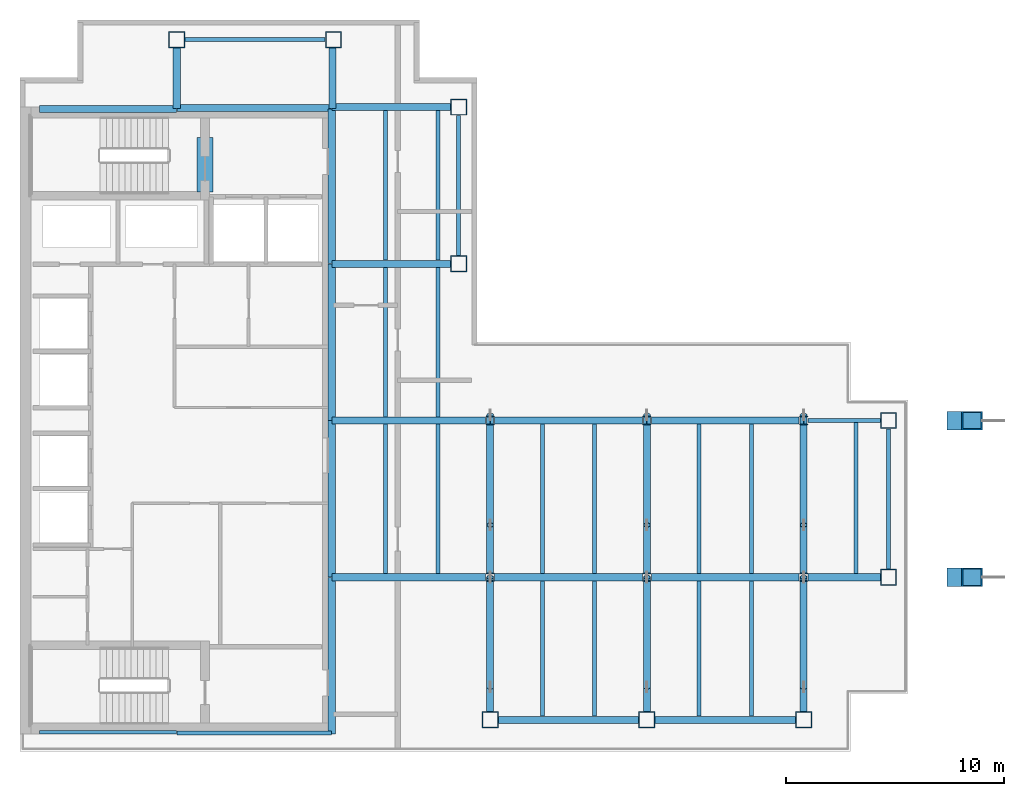
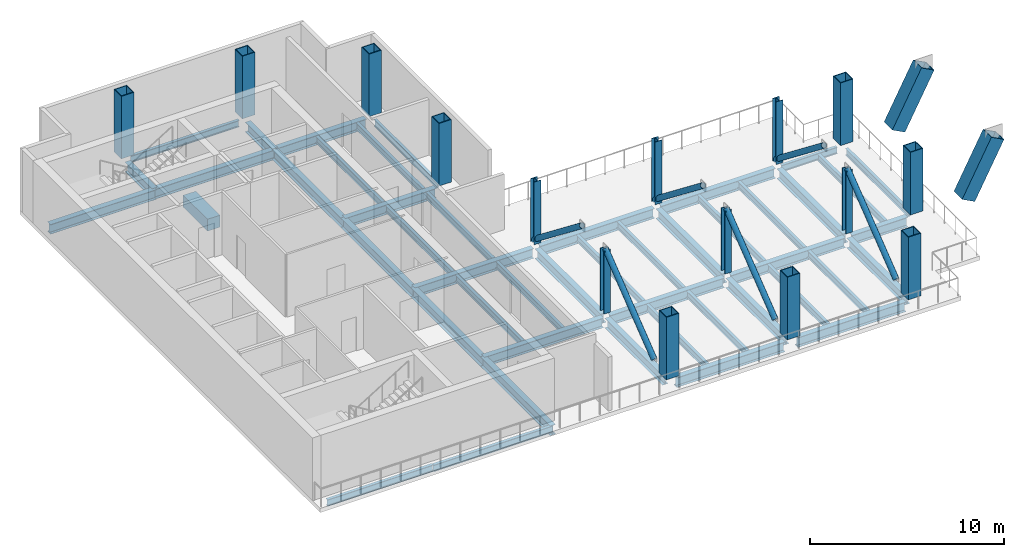
# One storey, part 1 of 5: 47 beams, 17 columns, 6 members.
"""IFC4 building model written with IfcOpenShell, lengths in metres."""

from ifc_helpers import new_model, si_unit, direction, frame, origin, origin_2d, place, context, subcontext, project, spatial, rectangle, hollow_rectangle, hollow_circle, i_section, extrude, material, material_profile, profile_set, type_object, element, save


model = new_model("IFC4")

# Units and contexts
model_context = context("Model", 3, precision=1e-05, world=origin(), true_north=direction((0.0, 1.0)))
body_context = subcontext(model_context, "Body", "Model", "MODEL_VIEW")
ifc_project = project(units=[si_unit("LENGTHUNIT", "METRE"), si_unit("AREAUNIT", "SQUARE_METRE"), si_unit("VOLUMEUNIT", "CUBIC_METRE"), si_unit("PLANEANGLEUNIT", "RADIAN"), si_unit("MASSUNIT", "GRAM", prefix="KILO")], contexts=[model_context])

# Site, building, storey
site_placement = place(None, origin())
site = spatial("IfcSite", under=ifc_project, at=site_placement, CompositionType="ELEMENT")
building_placement = place(site_placement, origin())
building = spatial("IfcBuilding", under=site, at=building_placement, Name="Cobrela Telecom Tower", CompositionType="ELEMENT")
storey_placement = place(building_placement, frame((0.0, 0.0, 236.949951171875)))
storey = spatial("IfcBuildingStorey", under=building, at=storey_placement, Name="L61", CompositionType="ELEMENT", Elevation=236.949951171875)

# Columns
ifc_material_1 = material(Name="Steel ASTM A572 Grade 50", Category="steel")
ifc_material_profile_1 = material_profile(ifc_material_1, hollow_rectangle(XDim=0.85009765625, YDim=0.85009765625, WallThickness=0.054931640625, at=origin_2d()), Name="BOX 850x850x55")
ifc_profile_set_1 = profile_set([ifc_material_profile_1], Name="Steel ASTM A572 Grade 50")
column_type_1 = type_object("IfcColumnType", Name="COL-CANT-STRUT", PredefinedType="COLUMN", material=ifc_profile_set_1)
for number, where, z_axis, x_axis, name in (
    (1, (42.96044921875, 14.39990234375, -0.2548828125), (0.466299292623, 0.0, 0.884627022931), (0.0, 1.0, 0.0), "L61 Block-4 Cantilever Raked Red Steel Strut 1"),
    (2, (42.96044921875, 21.60009765625, -0.2548828125), (0.466299292623, 0.0, 0.884627022931), (0.0, 1.0, 0.0), "L61 Block-4 Cantilever Raked Red Steel Strut 2"),
):
    element("IfcColumn", number, at=place(storey_placement, frame(where, z_axis=z_axis, x_axis=x_axis)), inside=storey, type_object=column_type_1, Name=name, PredefinedType="COLUMN", context=body_context, shape_type="SweptSolid", body=[
        extrude(hollow_rectangle(XDim=0.85009765625, YDim=0.85009765625, WallThickness=0.054931640625, at=origin_2d()), origin(), (0.0, 0.0, 1.0), 3.73046875),
    ])
ifc_material_2 = material(Name="Steel ASTM A992 Grade 50", Category="steel")
ifc_material_profile_2 = material_profile(ifc_material_2, i_section(OverallWidth=0.39892578125, OverallDepth=0.39404296875, WebThickness=0.022705078125, FlangeThickness=0.03662109375, FilletRadius=0.01806640625, at=origin_2d()), Name="W14X193")
ifc_profile_set_2 = profile_set([ifc_material_profile_2], Name="Steel ASTM A992 Grade 50")
column_type_2 = type_object("IfcColumnType", Name="COL-INT-06", PredefinedType="COLUMN", material=ifc_profile_set_2)
for number, where, z_axis, x_axis, name in (
    (3, (21.60009765625, 14.39990234375, 0.0), (0.0, 0.0, 1.0), (1.0, 0.0, 0.0), "L61 Interior Column 06"),
    (4, (21.60009765625, 21.60009765625, 0.0), (0.0, 0.0, 1.0), (1.0, 0.0, 0.0), "L61 Interior Column 07"),
    (5, (28.800048828125, 14.39990234375, 0.0), (0.0, 0.0, 1.0), (1.0, 0.0, 0.0), "L61 Interior Column 09"),
    (6, (28.800048828125, 21.60009765625, 0.0), (0.0, 0.0, 1.0), (1.0, 0.0, 0.0), "L61 Interior Column 10"),
    (7, (36.0, 14.39990234375, 0.0), (0.0, 0.0, 1.0), (1.0, 0.0, 0.0), "L61 Interior Column 12"),
    (8, (36.0, 21.60009765625, 0.0), (0.0, 0.0, 1.0), (1.0, 0.0, 0.0), "L61 Interior Column 13"),
):
    element("IfcColumn", number, at=place(storey_placement, frame(where, z_axis=z_axis, x_axis=x_axis)), inside=storey, type_object=column_type_2, Name=name, PredefinedType="COLUMN", context=body_context, shape_type="SweptSolid", body=[
        extrude(i_section(OverallWidth=0.39892578125, OverallDepth=0.39404296875, WebThickness=0.022705078125, FlangeThickness=0.03662109375, FilletRadius=0.01806640625, at=origin_2d()), origin(), (0.0, 0.0, 1.0), 3.93994140625),
    ])
ifc_material_profile_3 = material_profile(ifc_material_1, hollow_rectangle(XDim=0.75, YDim=0.75, WallThickness=0.044921875, at=origin_2d()), Name="BOX 750x750x45")
ifc_profile_set_3 = profile_set([ifc_material_profile_3], Name="Steel ASTM A572 Grade 50")
column_type_3 = type_object("IfcColumnType", Name="COL-MEGA-08", PredefinedType="COLUMN", material=ifc_profile_set_3)
for number, where, z_axis, x_axis, name in (
    (9, (7.199951171875, 39.10009765625, 0.0), (0.0, 0.0, 1.0), (1.0, 0.0, 0.0), "L61 Perimeter Mega-Column 01"),
    (10, (14.39990234375, 39.10009765625, 0.0), (0.0, 0.0, 1.0), (1.0, 0.0, 0.0), "L61 Perimeter Mega-Column 02"),
    (11, (20.14990234375, 28.800048828125, 0.0), (0.0, 0.0, 1.0), (1.0, 0.0, 0.0), "L61 Perimeter Mega-Column 03"),
    (12, (20.14990234375, 36.0, 0.0), (0.0, 0.0, 1.0), (1.0, 0.0, 0.0), "L61 Perimeter Mega-Column 04"),
    (13, (21.60009765625, 7.85009765625, 0.0), (0.0, 0.0, 1.0), (1.0, 0.0, 0.0), "L61 Perimeter Mega-Column 05"),
    (14, (28.800048828125, 7.85009765625, 0.0), (0.0, 0.0, 1.0), (1.0, 0.0, 0.0), "L61 Perimeter Mega-Column 08"),
    (15, (36.0, 7.85009765625, 0.0), (0.0, 0.0, 1.0), (1.0, 0.0, 0.0), "L61 Perimeter Mega-Column 11"),
    (16, (39.89990234375, 14.39990234375, 0.0), (0.0, 0.0, 1.0), (1.0, 0.0, 0.0), "L61 Perimeter Mega-Column 14"),
    (17, (39.89990234375, 21.60009765625, 0.0), (0.0, 0.0, 1.0), (1.0, 0.0, 0.0), "L61 Perimeter Mega-Column 15"),
):
    element("IfcColumn", number, at=place(storey_placement, frame(where, z_axis=z_axis, x_axis=x_axis)), inside=storey, type_object=column_type_3, Name=name, PredefinedType="COLUMN", context=body_context, shape_type="SweptSolid", body=[
        extrude(hollow_rectangle(XDim=0.75, YDim=0.75, WallThickness=0.044921875, at=origin_2d()), origin(), (0.0, 0.0, 1.0), 3.93994140625),
    ])

# Beams
ifc_material_3 = material(Name="Concrete C40/50", Category="concrete")
ifc_material_profile_4 = material_profile(ifc_material_3, rectangle(XDim=0.75, YDim=0.75, at=origin_2d()), Name="RC 750x750")
ifc_profile_set_4 = profile_set([ifc_material_profile_4], Name="Concrete C40/50")
beam_type_1 = type_object("IfcBeamType", Name="BM-COUP-RC", PredefinedType="LINTEL", material=ifc_profile_set_4)
beam_1_placement = place(storey_placement, frame((8.5, 32.10009765625, -0.60986328125), z_axis=(0.0, 1.0, 0.0), x_axis=(-1.0, 0.0, 0.0)))
element("IfcBeam", 18, at=beam_1_placement, inside=storey, type_object=beam_type_1, Name="L61 Core Coupling Lintel Beam", PredefinedType="LINTEL", context=body_context, shape_type="SweptSolid", body=[
    extrude(rectangle(XDim=0.75, YDim=0.75, at=origin_2d()), origin(), (0.0, 0.0, 1.0), 2.5),
])
ifc_material_profile_5 = material_profile(ifc_material_2, i_section(OverallWidth=0.324951171875, OverallDepth=0.612060546875, WebThickness=0.0126953125, FlangeThickness=0.01904296875, FilletRadius=0.014892578125, at=origin_2d()), Name="W24X104")
ifc_profile_set_5 = profile_set([ifc_material_profile_5], Name="Steel ASTM A992 Grade 50")
beam_type_2 = type_object("IfcBeamType", Name="BM-GIRD-07", PredefinedType="USERDEFINED", material=ifc_profile_set_5)
beam_2_placement = place(storey_placement, frame((21.97998046875, 7.85009765625, -0.56591796875), z_axis=(1.0, 0.0, 0.0), x_axis=(0.0, 1.0, 0.0)))
element("IfcBeam", 19, at=beam_2_placement, inside=storey, type_object=beam_type_2, Name="L61 Primary Girder X03", ObjectType="GIRDER", PredefinedType="USERDEFINED", context=body_context, shape_type="SweptSolid", body=[
    extrude(i_section(OverallWidth=0.324951171875, OverallDepth=0.612060546875, WebThickness=0.0126953125, FlangeThickness=0.01904296875, FilletRadius=0.014892578125, at=origin_2d()), origin(), (0.0, 0.0, 1.0), 6.43994140625),
])
beam_3_placement = place(storey_placement, frame((29.179931640625, 7.85009765625, -0.56591796875), z_axis=(1.0, 0.0, 0.0), x_axis=(0.0, 1.0, 0.0)))
element("IfcBeam", 20, at=beam_3_placement, inside=storey, type_object=beam_type_2, Name="L61 Primary Girder X04", ObjectType="GIRDER", PredefinedType="USERDEFINED", context=body_context, shape_type="SweptSolid", body=[
    extrude(i_section(OverallWidth=0.324951171875, OverallDepth=0.612060546875, WebThickness=0.0126953125, FlangeThickness=0.01904296875, FilletRadius=0.014892578125, at=origin_2d()), origin(), (0.0, 0.0, 1.0), 6.440185546875),
])
beam_4_placement = place(storey_placement, frame((14.324951171875, 14.39990234375, -0.56591796875), z_axis=(1.0, 0.0, 0.0), x_axis=(0.0, 1.0, 0.0)))
element("IfcBeam", 21, at=beam_4_placement, inside=storey, type_object=beam_type_2, Name="L61 Primary Girder X05", ObjectType="GIRDER", PredefinedType="USERDEFINED", context=body_context, shape_type="SweptSolid", body=[
    extrude(i_section(OverallWidth=0.324951171875, OverallDepth=0.612060546875, WebThickness=0.0126953125, FlangeThickness=0.01904296875, FilletRadius=0.014892578125, at=origin_2d()), origin(), (0.0, 0.0, 1.0), 7.070556640625),
])
for number, where, z_axis, x_axis, name in (
    (22, (21.804443359375, 14.39990234375, -0.56591796875), (1.0, 0.0, 0.0), (0.0, 1.0, 0.0), "L61 Primary Girder X06"),
    (23, (29.00439453125, 14.39990234375, -0.56591796875), (1.0, 0.0, 0.0), (0.0, 1.0, 0.0), "L61 Primary Girder X07"),
):
    element("IfcBeam", number, at=place(storey_placement, frame(where, z_axis=z_axis, x_axis=x_axis)), inside=storey, type_object=beam_type_2, Name=name, ObjectType="GIRDER", PredefinedType="USERDEFINED", context=body_context, shape_type="SweptSolid", body=[
        extrude(i_section(OverallWidth=0.324951171875, OverallDepth=0.612060546875, WebThickness=0.0126953125, FlangeThickness=0.01904296875, FilletRadius=0.014892578125, at=origin_2d()), origin(), (0.0, 0.0, 1.0), 6.791015625),
    ])
beam_5_placement = place(storey_placement, frame((36.20458984375, 14.39990234375, -0.56591796875), z_axis=(1.0, 0.0, 0.0), x_axis=(0.0, 1.0, 0.0)))
element("IfcBeam", 24, at=beam_5_placement, inside=storey, type_object=beam_type_2, Name="L61 Primary Girder X08", ObjectType="GIRDER", PredefinedType="USERDEFINED", context=body_context, shape_type="SweptSolid", body=[
    extrude(i_section(OverallWidth=0.324951171875, OverallDepth=0.612060546875, WebThickness=0.0126953125, FlangeThickness=0.01904296875, FilletRadius=0.014892578125, at=origin_2d()), origin(), (0.0, 0.0, 1.0), 3.3154296875),
])
beam_6_placement = place(storey_placement, frame((14.324951171875, 21.60009765625, -0.56591796875), z_axis=(1.0, 0.0, 0.0), x_axis=(0.0, 1.0, 0.0)))
element("IfcBeam", 25, at=beam_6_placement, inside=storey, type_object=beam_type_2, Name="L61 Primary Girder X09", ObjectType="GIRDER", PredefinedType="USERDEFINED", context=body_context, shape_type="SweptSolid", body=[
    extrude(i_section(OverallWidth=0.324951171875, OverallDepth=0.612060546875, WebThickness=0.0126953125, FlangeThickness=0.01904296875, FilletRadius=0.014892578125, at=origin_2d()), origin(), (0.0, 0.0, 1.0), 7.070556640625),
])
for number, where, z_axis, x_axis, name in (
    (26, (21.804443359375, 21.60009765625, -0.56591796875), (1.0, 0.0, 0.0), (0.0, 1.0, 0.0), "L61 Primary Girder X10"),
    (27, (29.00439453125, 21.60009765625, -0.56591796875), (1.0, 0.0, 0.0), (0.0, 1.0, 0.0), "L61 Primary Girder X11"),
):
    element("IfcBeam", number, at=place(storey_placement, frame(where, z_axis=z_axis, x_axis=x_axis)), inside=storey, type_object=beam_type_2, Name=name, ObjectType="GIRDER", PredefinedType="USERDEFINED", context=body_context, shape_type="SweptSolid", body=[
        extrude(i_section(OverallWidth=0.324951171875, OverallDepth=0.612060546875, WebThickness=0.0126953125, FlangeThickness=0.01904296875, FilletRadius=0.014892578125, at=origin_2d()), origin(), (0.0, 0.0, 1.0), 6.791015625),
    ])
beam_7_placement = place(storey_placement, frame((14.324951171875, 28.800048828125, -0.56591796875), z_axis=(1.0, 0.0, 0.0), x_axis=(0.0, 1.0, 0.0)))
element("IfcBeam", 28, at=beam_7_placement, inside=storey, type_object=beam_type_2, Name="L61 Primary Girder X13", ObjectType="GIRDER", PredefinedType="USERDEFINED", context=body_context, shape_type="SweptSolid", body=[
    extrude(i_section(OverallWidth=0.324951171875, OverallDepth=0.612060546875, WebThickness=0.0126953125, FlangeThickness=0.01904296875, FilletRadius=0.014892578125, at=origin_2d()), origin(), (0.0, 0.0, 1.0), 5.445068359375),
])
beam_8_placement = place(storey_placement, frame((0.905029296875, 35.919921875, -0.56591796875), z_axis=(1.0, 0.0, 0.0), x_axis=(0.0, 1.0, 0.0)))
element("IfcBeam", 29, at=beam_8_placement, inside=storey, type_object=beam_type_2, Name="L61 Primary Girder X14", ObjectType="GIRDER", PredefinedType="USERDEFINED", context=body_context, shape_type="SweptSolid", body=[
    extrude(i_section(OverallWidth=0.324951171875, OverallDepth=0.612060546875, WebThickness=0.0126953125, FlangeThickness=0.01904296875, FilletRadius=0.014892578125, at=origin_2d()), origin(), (0.0, 0.0, 1.0), 6.2900390625),
])
beam_9_placement = place(storey_placement, frame((7.205078125, 35.9599609375, -0.56591796875), z_axis=(1.0, 0.0, 0.0), x_axis=(0.0, 1.0, 0.0)))
element("IfcBeam", 30, at=beam_9_placement, inside=storey, type_object=beam_type_2, Name="L61 Primary Girder X15", ObjectType="GIRDER", PredefinedType="USERDEFINED", context=body_context, shape_type="SweptSolid", body=[
    extrude(i_section(OverallWidth=0.324951171875, OverallDepth=0.612060546875, WebThickness=0.0126953125, FlangeThickness=0.01904296875, FilletRadius=0.014892578125, at=origin_2d()), origin(), (0.0, 0.0, 1.0), 7.10986328125),
])
beam_10_placement = place(storey_placement, frame((14.324951171875, 36.0, -0.56591796875), z_axis=(1.0, 0.0, 0.0), x_axis=(0.0, 1.0, 0.0)))
element("IfcBeam", 31, at=beam_10_placement, inside=storey, type_object=beam_type_2, Name="L61 Primary Girder X16", ObjectType="GIRDER", PredefinedType="USERDEFINED", context=body_context, shape_type="SweptSolid", body=[
    extrude(i_section(OverallWidth=0.324951171875, OverallDepth=0.612060546875, WebThickness=0.0126953125, FlangeThickness=0.01904296875, FilletRadius=0.014892578125, at=origin_2d()), origin(), (0.0, 0.0, 1.0), 5.445068359375),
])
beam_11_placement = place(storey_placement, frame((7.199951171875, 35.925048828125, -0.56591796875), z_axis=(0.0, 1.0, 0.0), x_axis=(-1.0, 0.0, 0.0)))
element("IfcBeam", 32, at=beam_11_placement, inside=storey, type_object=beam_type_2, Name="L61 Primary Girder Y18", ObjectType="GIRDER", PredefinedType="USERDEFINED", context=body_context, shape_type="SweptSolid", body=[
    extrude(i_section(OverallWidth=0.324951171875, OverallDepth=0.612060546875, WebThickness=0.0126953125, FlangeThickness=0.01904296875, FilletRadius=0.014892578125, at=origin_2d()), origin(), (0.0, 0.0, 1.0), 2.794921875),
])
for number, where, z_axis, x_axis, name in (
    (33, (14.320068359375, 7.205078125, -0.56591796875), (0.0, 1.0, 0.0), (-1.0, 0.0, 0.0), "L61 Primary Girder Y19"),
    (34, (14.320068359375, 14.405029296875, -0.56591796875), (0.0, 1.0, 0.0), (-1.0, 0.0, 0.0), "L61 Primary Girder Y20"),
    (35, (14.320068359375, 21.60498046875, -0.56591796875), (0.0, 1.0, 0.0), (-1.0, 0.0, 0.0), "L61 Primary Girder Y21"),
):
    element("IfcBeam", number, at=place(storey_placement, frame(where, z_axis=z_axis, x_axis=x_axis)), inside=storey, type_object=beam_type_2, Name=name, ObjectType="GIRDER", PredefinedType="USERDEFINED", context=body_context, shape_type="SweptSolid", body=[
        extrude(i_section(OverallWidth=0.324951171875, OverallDepth=0.612060546875, WebThickness=0.0126953125, FlangeThickness=0.01904296875, FilletRadius=0.014892578125, at=origin_2d()), origin(), (0.0, 0.0, 1.0), 7.18994140625),
    ])
beam_12_placement = place(storey_placement, frame((14.320068359375, 28.804931640625, -0.56591796875), z_axis=(0.0, 1.0, 0.0), x_axis=(-1.0, 0.0, 0.0)))
element("IfcBeam", 36, at=beam_12_placement, inside=storey, type_object=beam_type_2, Name="L61 Primary Girder Y22", ObjectType="GIRDER", PredefinedType="USERDEFINED", context=body_context, shape_type="SweptSolid", body=[
    extrude(i_section(OverallWidth=0.324951171875, OverallDepth=0.612060546875, WebThickness=0.0126953125, FlangeThickness=0.01904296875, FilletRadius=0.014892578125, at=origin_2d()), origin(), (0.0, 0.0, 1.0), 7.110107421875),
])
beam_13_placement = place(storey_placement, frame((14.360107421875, 35.925048828125, -0.56591796875), z_axis=(0.0, 1.0, 0.0), x_axis=(-1.0, 0.0, 0.0)))
element("IfcBeam", 37, at=beam_13_placement, inside=storey, type_object=beam_type_2, Name="L61 Primary Girder Y23", ObjectType="GIRDER", PredefinedType="USERDEFINED", context=body_context, shape_type="SweptSolid", body=[
    extrude(i_section(OverallWidth=0.324951171875, OverallDepth=0.612060546875, WebThickness=0.0126953125, FlangeThickness=0.01904296875, FilletRadius=0.014892578125, at=origin_2d()), origin(), (0.0, 0.0, 1.0), 2.794921875),
])
beam_14_placement = place(storey_placement, frame((21.60009765625, 8.22998046875, -0.56591796875), z_axis=(0.0, 1.0, 0.0), x_axis=(-1.0, 0.0, 0.0)))
element("IfcBeam", 38, at=beam_14_placement, inside=storey, type_object=beam_type_2, Name="L61 Primary Girder Y25", ObjectType="GIRDER", PredefinedType="USERDEFINED", context=body_context, shape_type="SweptSolid", body=[
    extrude(i_section(OverallWidth=0.324951171875, OverallDepth=0.612060546875, WebThickness=0.0126953125, FlangeThickness=0.01904296875, FilletRadius=0.014892578125, at=origin_2d()), origin(), (0.0, 0.0, 1.0), 5.965576171875),
])
beam_15_placement = place(storey_placement, frame((21.60009765625, 14.6044921875, -0.56591796875), z_axis=(0.0, 1.0, 0.0), x_axis=(-1.0, 0.0, 0.0)))
element("IfcBeam", 39, at=beam_15_placement, inside=storey, type_object=beam_type_2, Name="L61 Primary Girder Y26", ObjectType="GIRDER", PredefinedType="USERDEFINED", context=body_context, shape_type="SweptSolid", body=[
    extrude(i_section(OverallWidth=0.324951171875, OverallDepth=0.612060546875, WebThickness=0.0126953125, FlangeThickness=0.01904296875, FilletRadius=0.014892578125, at=origin_2d()), origin(), (0.0, 0.0, 1.0), 6.791015625),
])
beam_16_placement = place(storey_placement, frame((28.800048828125, 8.22998046875, -0.56591796875), z_axis=(0.0, 1.0, 0.0), x_axis=(-1.0, 0.0, 0.0)))
element("IfcBeam", 40, at=beam_16_placement, inside=storey, type_object=beam_type_2, Name="L61 Primary Girder Y27", ObjectType="GIRDER", PredefinedType="USERDEFINED", context=body_context, shape_type="SweptSolid", body=[
    extrude(i_section(OverallWidth=0.324951171875, OverallDepth=0.612060546875, WebThickness=0.0126953125, FlangeThickness=0.01904296875, FilletRadius=0.014892578125, at=origin_2d()), origin(), (0.0, 0.0, 1.0), 5.965576171875),
])
beam_17_placement = place(storey_placement, frame((28.800048828125, 14.6044921875, -0.56591796875), z_axis=(0.0, 1.0, 0.0), x_axis=(-1.0, 0.0, 0.0)))
element("IfcBeam", 41, at=beam_17_placement, inside=storey, type_object=beam_type_2, Name="L61 Primary Girder Y28", ObjectType="GIRDER", PredefinedType="USERDEFINED", context=body_context, shape_type="SweptSolid", body=[
    extrude(i_section(OverallWidth=0.324951171875, OverallDepth=0.612060546875, WebThickness=0.0126953125, FlangeThickness=0.01904296875, FilletRadius=0.014892578125, at=origin_2d()), origin(), (0.0, 0.0, 1.0), 6.791015625),
])
beam_18_placement = place(storey_placement, frame((36.0, 8.22998046875, -0.56591796875), z_axis=(0.0, 1.0, 0.0), x_axis=(-1.0, 0.0, 0.0)))
element("IfcBeam", 42, at=beam_18_placement, inside=storey, type_object=beam_type_2, Name="L61 Primary Girder Y29", ObjectType="GIRDER", PredefinedType="USERDEFINED", context=body_context, shape_type="SweptSolid", body=[
    extrude(i_section(OverallWidth=0.324951171875, OverallDepth=0.612060546875, WebThickness=0.0126953125, FlangeThickness=0.01904296875, FilletRadius=0.014892578125, at=origin_2d()), origin(), (0.0, 0.0, 1.0), 5.965576171875),
])
beam_19_placement = place(storey_placement, frame((36.0, 14.6044921875, -0.56591796875), z_axis=(0.0, 1.0, 0.0), x_axis=(-1.0, 0.0, 0.0)))
element("IfcBeam", 43, at=beam_19_placement, inside=storey, type_object=beam_type_2, Name="L61 Primary Girder Y30", ObjectType="GIRDER", PredefinedType="USERDEFINED", context=body_context, shape_type="SweptSolid", body=[
    extrude(i_section(OverallWidth=0.324951171875, OverallDepth=0.612060546875, WebThickness=0.0126953125, FlangeThickness=0.01904296875, FilletRadius=0.014892578125, at=origin_2d()), origin(), (0.0, 0.0, 1.0), 6.791015625),
])
ifc_material_profile_6 = material_profile(ifc_material_2, i_section(OverallWidth=0.179931640625, OverallDepth=0.4169921875, WebThickness=0.010986328125, FlangeThickness=0.01806640625, FilletRadius=0.011962890625, at=origin_2d()), Name="W16X57")
ifc_profile_set_6 = profile_set([ifc_material_profile_6], Name="Steel ASTM A992 Grade 50")
beam_type_3 = type_object("IfcBeamType", Name="BM-JOIST-04", PredefinedType="JOIST", material=ifc_profile_set_6)
beam_20_placement = place(storey_placement, frame((16.800048828125, 14.5673828125, -0.468505859375), z_axis=(0.0, 1.0, 0.0), x_axis=(-1.0, 0.0, 0.0)))
element("IfcBeam", 44, at=beam_20_placement, inside=storey, type_object=beam_type_3, Name="L61 Secondary Composite Floor Beam J01", PredefinedType="JOIST", context=body_context, shape_type="SweptSolid", body=[
    extrude(i_section(OverallWidth=0.179931640625, OverallDepth=0.4169921875, WebThickness=0.010986328125, FlangeThickness=0.01806640625, FilletRadius=0.011962890625, at=origin_2d()), origin(), (0.0, 0.0, 1.0), 6.865234375),
])
for number, where, z_axis, x_axis, name in (
    (45, (16.800048828125, 21.767578125, -0.468505859375), (0.0, 1.0, 0.0), (-1.0, 0.0, 0.0), "L61 Secondary Composite Floor Beam J02"),
    (46, (16.800048828125, 28.967529296875, -0.468505859375), (0.0, 1.0, 0.0), (-1.0, 0.0, 0.0), "L61 Secondary Composite Floor Beam J03"),
):
    element("IfcBeam", number, at=place(storey_placement, frame(where, z_axis=z_axis, x_axis=x_axis)), inside=storey, type_object=beam_type_3, Name=name, PredefinedType="JOIST", context=body_context, shape_type="SweptSolid", body=[
        extrude(i_section(OverallWidth=0.179931640625, OverallDepth=0.4169921875, WebThickness=0.010986328125, FlangeThickness=0.01806640625, FilletRadius=0.011962890625, at=origin_2d()), origin(), (0.0, 0.0, 1.0), 6.864990234375),
    ])
beam_21_placement = place(storey_placement, frame((19.199951171875, 14.5673828125, -0.468505859375), z_axis=(0.0, 1.0, 0.0), x_axis=(-1.0, 0.0, 0.0)))
element("IfcBeam", 47, at=beam_21_placement, inside=storey, type_object=beam_type_3, Name="L61 Secondary Composite Floor Beam J04", PredefinedType="JOIST", context=body_context, shape_type="SweptSolid", body=[
    extrude(i_section(OverallWidth=0.179931640625, OverallDepth=0.4169921875, WebThickness=0.010986328125, FlangeThickness=0.01806640625, FilletRadius=0.011962890625, at=origin_2d()), origin(), (0.0, 0.0, 1.0), 6.865234375),
])
for number, where, z_axis, x_axis, name in (
    (48, (19.199951171875, 21.767578125, -0.468505859375), (0.0, 1.0, 0.0), (-1.0, 0.0, 0.0), "L61 Secondary Composite Floor Beam J05"),
    (49, (19.199951171875, 28.967529296875, -0.468505859375), (0.0, 1.0, 0.0), (-1.0, 0.0, 0.0), "L61 Secondary Composite Floor Beam J06"),
):
    element("IfcBeam", number, at=place(storey_placement, frame(where, z_axis=z_axis, x_axis=x_axis)), inside=storey, type_object=beam_type_3, Name=name, PredefinedType="JOIST", context=body_context, shape_type="SweptSolid", body=[
        extrude(i_section(OverallWidth=0.179931640625, OverallDepth=0.4169921875, WebThickness=0.010986328125, FlangeThickness=0.01806640625, FilletRadius=0.011962890625, at=origin_2d()), origin(), (0.0, 0.0, 1.0), 6.864990234375),
    ])
beam_22_placement = place(storey_placement, frame((24.0, 8.017578125, -0.468505859375), z_axis=(0.0, 1.0, 0.0), x_axis=(-1.0, 0.0, 0.0)))
element("IfcBeam", 50, at=beam_22_placement, inside=storey, type_object=beam_type_3, Name="L61 Secondary Composite Floor Beam J07", PredefinedType="JOIST", context=body_context, shape_type="SweptSolid", body=[
    extrude(i_section(OverallWidth=0.179931640625, OverallDepth=0.4169921875, WebThickness=0.010986328125, FlangeThickness=0.01806640625, FilletRadius=0.011962890625, at=origin_2d()), origin(), (0.0, 0.0, 1.0), 6.21484375),
])
beam_23_placement = place(storey_placement, frame((24.0, 14.5673828125, -0.468505859375), z_axis=(0.0, 1.0, 0.0), x_axis=(-1.0, 0.0, 0.0)))
element("IfcBeam", 51, at=beam_23_placement, inside=storey, type_object=beam_type_3, Name="L61 Secondary Composite Floor Beam J08", PredefinedType="JOIST", context=body_context, shape_type="SweptSolid", body=[
    extrude(i_section(OverallWidth=0.179931640625, OverallDepth=0.4169921875, WebThickness=0.010986328125, FlangeThickness=0.01806640625, FilletRadius=0.011962890625, at=origin_2d()), origin(), (0.0, 0.0, 1.0), 6.865234375),
])
beam_24_placement = place(storey_placement, frame((26.39990234375, 8.017578125, -0.468505859375), z_axis=(0.0, 1.0, 0.0), x_axis=(-1.0, 0.0, 0.0)))
element("IfcBeam", 52, at=beam_24_placement, inside=storey, type_object=beam_type_3, Name="L61 Secondary Composite Floor Beam J09", PredefinedType="JOIST", context=body_context, shape_type="SweptSolid", body=[
    extrude(i_section(OverallWidth=0.179931640625, OverallDepth=0.4169921875, WebThickness=0.010986328125, FlangeThickness=0.01806640625, FilletRadius=0.011962890625, at=origin_2d()), origin(), (0.0, 0.0, 1.0), 6.21484375),
])
beam_25_placement = place(storey_placement, frame((26.39990234375, 14.5673828125, -0.468505859375), z_axis=(0.0, 1.0, 0.0), x_axis=(-1.0, 0.0, 0.0)))
element("IfcBeam", 53, at=beam_25_placement, inside=storey, type_object=beam_type_3, Name="L61 Secondary Composite Floor Beam J10", PredefinedType="JOIST", context=body_context, shape_type="SweptSolid", body=[
    extrude(i_section(OverallWidth=0.179931640625, OverallDepth=0.4169921875, WebThickness=0.010986328125, FlangeThickness=0.01806640625, FilletRadius=0.011962890625, at=origin_2d()), origin(), (0.0, 0.0, 1.0), 6.865234375),
])
beam_26_placement = place(storey_placement, frame((31.199951171875, 8.017578125, -0.468505859375), z_axis=(0.0, 1.0, 0.0), x_axis=(-1.0, 0.0, 0.0)))
element("IfcBeam", 54, at=beam_26_placement, inside=storey, type_object=beam_type_3, Name="L61 Secondary Composite Floor Beam J11", PredefinedType="JOIST", context=body_context, shape_type="SweptSolid", body=[
    extrude(i_section(OverallWidth=0.179931640625, OverallDepth=0.4169921875, WebThickness=0.010986328125, FlangeThickness=0.01806640625, FilletRadius=0.011962890625, at=origin_2d()), origin(), (0.0, 0.0, 1.0), 6.21484375),
])
beam_27_placement = place(storey_placement, frame((31.199951171875, 14.5673828125, -0.468505859375), z_axis=(0.0, 1.0, 0.0), x_axis=(-1.0, 0.0, 0.0)))
element("IfcBeam", 55, at=beam_27_placement, inside=storey, type_object=beam_type_3, Name="L61 Secondary Composite Floor Beam J12", PredefinedType="JOIST", context=body_context, shape_type="SweptSolid", body=[
    extrude(i_section(OverallWidth=0.179931640625, OverallDepth=0.4169921875, WebThickness=0.010986328125, FlangeThickness=0.01806640625, FilletRadius=0.011962890625, at=origin_2d()), origin(), (0.0, 0.0, 1.0), 6.865234375),
])
beam_28_placement = place(storey_placement, frame((33.60009765625, 8.017578125, -0.468505859375), z_axis=(0.0, 1.0, 0.0), x_axis=(-1.0, 0.0, 0.0)))
element("IfcBeam", 56, at=beam_28_placement, inside=storey, type_object=beam_type_3, Name="L61 Secondary Composite Floor Beam J13", PredefinedType="JOIST", context=body_context, shape_type="SweptSolid", body=[
    extrude(i_section(OverallWidth=0.179931640625, OverallDepth=0.4169921875, WebThickness=0.010986328125, FlangeThickness=0.01806640625, FilletRadius=0.011962890625, at=origin_2d()), origin(), (0.0, 0.0, 1.0), 6.21484375),
])
beam_29_placement = place(storey_placement, frame((33.60009765625, 14.5673828125, -0.468505859375), z_axis=(0.0, 1.0, 0.0), x_axis=(-1.0, 0.0, 0.0)))
element("IfcBeam", 57, at=beam_29_placement, inside=storey, type_object=beam_type_3, Name="L61 Secondary Composite Floor Beam J14", PredefinedType="JOIST", context=body_context, shape_type="SweptSolid", body=[
    extrude(i_section(OverallWidth=0.179931640625, OverallDepth=0.4169921875, WebThickness=0.010986328125, FlangeThickness=0.01806640625, FilletRadius=0.011962890625, at=origin_2d()), origin(), (0.0, 0.0, 1.0), 6.865234375),
])
beam_30_placement = place(storey_placement, frame((38.39990234375, 14.5673828125, -0.468505859375), z_axis=(0.0, 1.0, 0.0), x_axis=(-1.0, 0.0, 0.0)))
element("IfcBeam", 58, at=beam_30_placement, inside=storey, type_object=beam_type_3, Name="L61 Secondary Composite Floor Beam J15", PredefinedType="JOIST", context=body_context, shape_type="SweptSolid", body=[
    extrude(i_section(OverallWidth=0.179931640625, OverallDepth=0.4169921875, WebThickness=0.010986328125, FlangeThickness=0.01806640625, FilletRadius=0.011962890625, at=origin_2d()), origin(), (0.0, 0.0, 1.0), 6.9375),
])
ifc_material_profile_7 = material_profile(ifc_material_2, i_section(OverallWidth=0.179931640625, OverallDepth=0.4169921875, WebThickness=0.010986328125, FlangeThickness=0.01806640625, FilletRadius=0.011962890625, at=origin_2d()), Name="W16X57")
ifc_profile_set_7 = profile_set([ifc_material_profile_7], Name="Steel ASTM A992 Grade 50")
beam_type_4 = type_object("IfcBeamType", Name="BM-SPAND-06", PredefinedType="SPANDREL", material=ifc_profile_set_7)
beam_31_placement = place(storey_placement, frame((0.905029296875, 7.280029296875, -0.468505859375), z_axis=(1.0, 0.0, 0.0), x_axis=(0.0, 1.0, 0.0)))
element("IfcBeam", 59, at=beam_31_placement, inside=storey, type_object=beam_type_4, Name="L61 Perimeter Spandrel X01", PredefinedType="SPANDREL", context=body_context, shape_type="SweptSolid", body=[
    extrude(i_section(OverallWidth=0.179931640625, OverallDepth=0.4169921875, WebThickness=0.010986328125, FlangeThickness=0.01806640625, FilletRadius=0.011962890625, at=origin_2d()), origin(), (0.0, 0.0, 1.0), 6.2900390625),
])
beam_32_placement = place(storey_placement, frame((7.205078125, 7.239990234375, -0.468505859375), z_axis=(1.0, 0.0, 0.0), x_axis=(0.0, 1.0, 0.0)))
element("IfcBeam", 60, at=beam_32_placement, inside=storey, type_object=beam_type_4, Name="L61 Perimeter Spandrel X02", PredefinedType="SPANDREL", context=body_context, shape_type="SweptSolid", body=[
    extrude(i_section(OverallWidth=0.179931640625, OverallDepth=0.4169921875, WebThickness=0.010986328125, FlangeThickness=0.01806640625, FilletRadius=0.011962890625, at=origin_2d()), origin(), (0.0, 0.0, 1.0), 7.10986328125),
])
beam_33_placement = place(storey_placement, frame((36.20458984375, 21.60009765625, -0.468505859375), z_axis=(1.0, 0.0, 0.0), x_axis=(0.0, 1.0, 0.0)))
element("IfcBeam", 61, at=beam_33_placement, inside=storey, type_object=beam_type_4, Name="L61 Perimeter Spandrel X12", PredefinedType="SPANDREL", context=body_context, shape_type="SweptSolid", body=[
    extrude(i_section(OverallWidth=0.179931640625, OverallDepth=0.4169921875, WebThickness=0.010986328125, FlangeThickness=0.01806640625, FilletRadius=0.011962890625, at=origin_2d()), origin(), (0.0, 0.0, 1.0), 3.3154296875),
])
beam_34_placement = place(storey_placement, frame((7.580078125, 39.10009765625, -0.468505859375), z_axis=(1.0, 0.0, 0.0), x_axis=(0.0, 1.0, 0.0)))
element("IfcBeam", 62, at=beam_34_placement, inside=storey, type_object=beam_type_4, Name="L61 Perimeter Spandrel X17", PredefinedType="SPANDREL", context=body_context, shape_type="SweptSolid", body=[
    extrude(i_section(OverallWidth=0.179931640625, OverallDepth=0.4169921875, WebThickness=0.010986328125, FlangeThickness=0.01806640625, FilletRadius=0.011962890625, at=origin_2d()), origin(), (0.0, 0.0, 1.0), 6.43994140625),
])
beam_35_placement = place(storey_placement, frame((20.14990234375, 29.179931640625, -0.468505859375), z_axis=(0.0, 1.0, 0.0), x_axis=(-1.0, 0.0, 0.0)))
element("IfcBeam", 63, at=beam_35_placement, inside=storey, type_object=beam_type_4, Name="L61 Perimeter Spandrel Y24", PredefinedType="SPANDREL", context=body_context, shape_type="SweptSolid", body=[
    extrude(i_section(OverallWidth=0.179931640625, OverallDepth=0.4169921875, WebThickness=0.010986328125, FlangeThickness=0.01806640625, FilletRadius=0.011962890625, at=origin_2d()), origin(), (0.0, 0.0, 1.0), 6.440185546875),
])
beam_36_placement = place(storey_placement, frame((39.89990234375, 14.780029296875, -0.468505859375), z_axis=(0.0, 1.0, 0.0), x_axis=(-1.0, 0.0, 0.0)))
element("IfcBeam", 64, at=beam_36_placement, inside=storey, type_object=beam_type_4, Name="L61 Perimeter Spandrel Y31", PredefinedType="SPANDREL", context=body_context, shape_type="SweptSolid", body=[
    extrude(i_section(OverallWidth=0.179931640625, OverallDepth=0.4169921875, WebThickness=0.010986328125, FlangeThickness=0.01806640625, FilletRadius=0.011962890625, at=origin_2d()), origin(), (0.0, 0.0, 1.0), 6.43994140625),
])

# Members
ifc_material_profile_8 = material_profile(ifc_material_1, hollow_circle(Radius=0.162109375, WallThickness=0.01611328125, at=origin_2d()), Name="CHS 324x16")
ifc_profile_set_8 = profile_set([ifc_material_profile_8], Name="Steel ASTM A572 Grade 50")
member_type = type_object("IfcMemberType", Name="MBR-TURB-SHROUD", PredefinedType="STRUT", material=ifc_profile_set_8)
for number, where, z_axis, x_axis, name in (
    (65, (21.60009765625, 9.35693359375, 0.0), (0.0, 0.788015119675, 0.615655886973), (-1.0, 0.0, 0.0), "L61 Wind Turbine Shroud Frame 1S"),
    (66, (21.60009765625, 21.843017578125, 0.0), (0.0, -0.788015119675, 0.615655886973), (1.0, 0.0, 0.0), "L61 Wind Turbine Shroud Frame 1N"),
    (67, (28.800048828125, 9.35693359375, 0.0), (0.0, 0.788015119675, 0.615655886973), (-1.0, 0.0, 0.0), "L61 Wind Turbine Shroud Frame 2S"),
    (68, (28.800048828125, 21.843017578125, 0.0), (0.0, -0.788015119675, 0.615655886973), (1.0, 0.0, 0.0), "L61 Wind Turbine Shroud Frame 2N"),
    (69, (36.0, 9.35693359375, 0.0), (0.0, 0.788015119675, 0.615655886973), (-1.0, 0.0, 0.0), "L61 Wind Turbine Shroud Frame 3S"),
    (70, (36.0, 21.843017578125, 0.0), (0.0, -0.788015119675, 0.615655886973), (1.0, 0.0, 0.0), "L61 Wind Turbine Shroud Frame 3N"),
):
    element("IfcMember", number, at=place(storey_placement, frame(where, z_axis=z_axis, x_axis=x_axis)), inside=storey, type_object=member_type, Name=name, PredefinedType="STRUT", context=body_context, shape_type="SweptSolid", body=[
        extrude(hollow_circle(Radius=0.162109375, WallThickness=0.01611328125, at=origin_2d()), origin(), (0.0, 0.0, 1.0), 6.399658203125),
    ])

save(model, "model.ifc")
